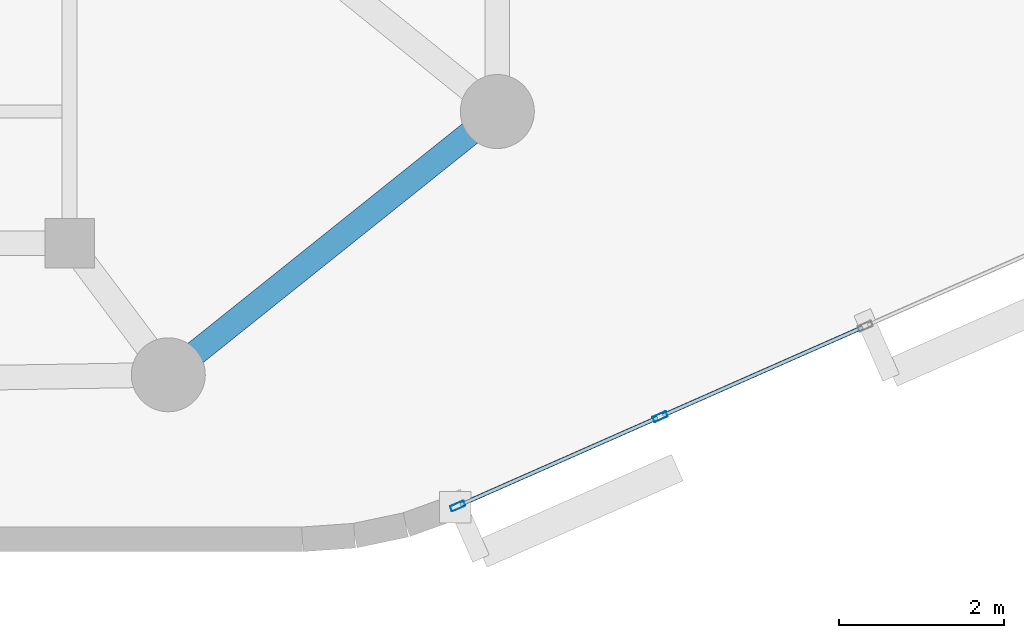
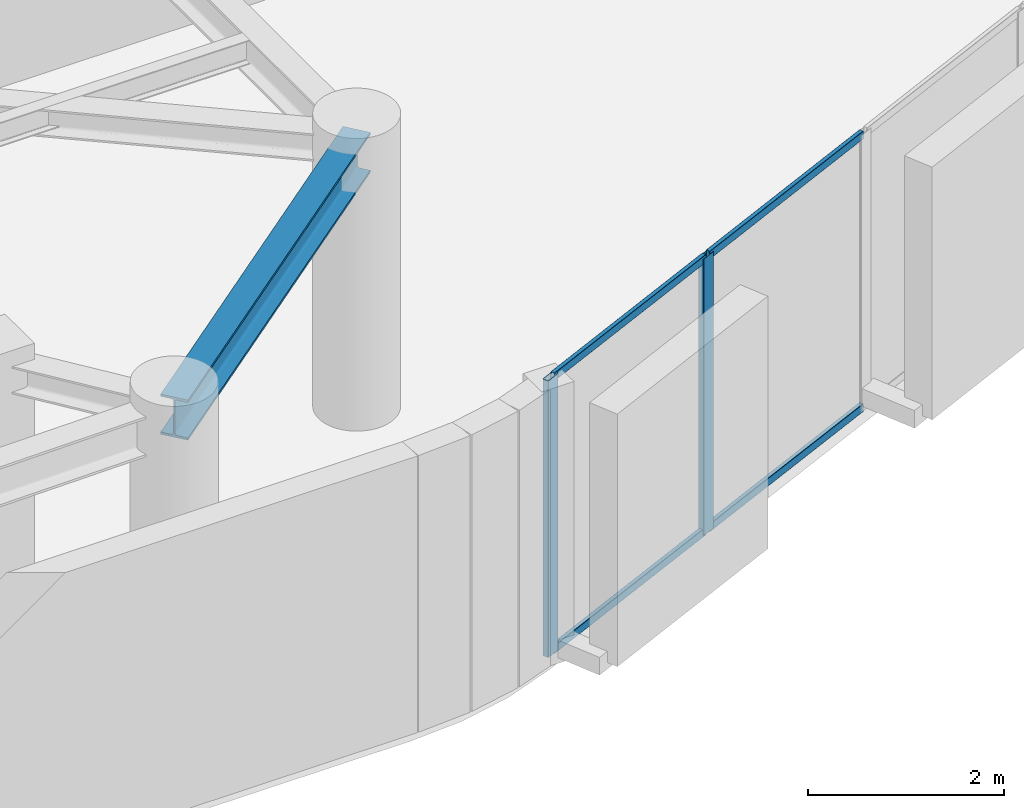
# One storey, part 2 of 12: 6 members, 1 beam, 1 element without a shape of its own.
"""IFC4 building model written with IfcOpenShell, lengths in metres."""

from ifc_helpers import new_model, si_unit, direction, frame, origin, origin_2d, place, context, subcontext, project, spatial, hollow_rectangle, i_section, extrude, material, layer, layer_set, material_profile, profile_set, type_object, element, aggregate, save


model = new_model("IFC4")

# Units and contexts
model_context = context("Model", 3, precision=1e-05, world=origin(), true_north=direction((0.0, 1.0)))
body_context = subcontext(model_context, "Body", "Model", "MODEL_VIEW")
ifc_project = project(units=[si_unit("LENGTHUNIT", "METRE"), si_unit("AREAUNIT", "SQUARE_METRE"), si_unit("VOLUMEUNIT", "CUBIC_METRE"), si_unit("PLANEANGLEUNIT", "RADIAN"), si_unit("MASSUNIT", "GRAM", prefix="KILO")], contexts=[model_context])

# Site, building, storey
site_placement = place(None, origin())
site = spatial("IfcSite", under=ifc_project, at=site_placement, CompositionType="ELEMENT")
building_placement = place(site_placement, origin())
building = spatial("IfcBuilding", under=site, at=building_placement, Name="An Khanh Terracotta Commons", CompositionType="ELEMENT")
storey_placement = place(building_placement, frame((0.0, 0.0, 269.75)))
storey = spatial("IfcBuildingStorey", under=building, at=storey_placement, Name="L70", CompositionType="ELEMENT", Elevation=269.75)

# Beam
ifc_material_1 = material(Name="Steel S355J2", Category="steel")
ifc_material_profile_1 = material_profile(ifc_material_1, i_section(OverallWidth=0.300048828125, OverallDepth=0.5, WebThickness=0.014404296875, FlangeThickness=0.028076171875, FilletRadius=0.027099609375, at=origin_2d()), Name="HEB500")
ifc_profile_set_1 = profile_set([ifc_material_profile_1], Name="Steel S355J2")
beam_type = type_object("IfcBeamType", Name="BM-HEB500", PredefinedType="BEAM", material=ifc_profile_set_1)
beam_placement = place(storey_placement, frame((59.39990234375, 12.800048828125, 3.199951171875), z_axis=(0.780873459249, 0.624689235253, 0.0), x_axis=(-0.624689235253, 0.780873459249, 0.0)))
element("IfcBeam", 1, at=beam_placement, inside=storey, type_object=beam_type, Name="L70 Perimeter Ring Spandrel 2", PredefinedType="BEAM", context=body_context, shape_type="SweptSolid", body=[
    extrude(i_section(OverallWidth=0.300048828125, OverallDepth=0.5, WebThickness=0.014404296875, FlangeThickness=0.028076171875, FilletRadius=0.027099609375, at=origin_2d()), origin(), (0.0, 0.0, 1.0), 5.12255859375),
])

# Curtain wall, members
ifc_material_2 = material(Name="Anodised Aluminium 6063-T6", Category="aluminium")
ifc_layer = layer(ifc_material_2, 0.2099609375, Name="Anodised Aluminium 6063-T6")
ifc_layer_set = layer_set([ifc_layer], Name="Anodised Aluminium 6063-T6")
curtain_wall_type = type_object("IfcCurtainWallType", Name="CW-SYS-03", PredefinedType="USERDEFINED", material=ifc_layer_set)
curtain_wall_placement = place(storey_placement, origin())
curtain_wall = element("IfcCurtainWall", 2, at=curtain_wall_placement, inside=storey, type_object=curtain_wall_type, Name="L70 CW-03 Unitised Curtain Wall CW-L70-08", ObjectType="UNITISED CURTAIN WALL", PredefinedType="USERDEFINED")
ifc_material_profile_2 = material_profile(ifc_material_2, hollow_rectangle(XDim=0.070068359375, YDim=0.179931640625, WallThickness=0.00390625, InnerFilletRadius=0.00390625, OuterFilletRadius=0.008056640625, at=origin_2d()), Name="RHS180x70x4")
ifc_profile_set_2 = profile_set([ifc_material_profile_2], Name="Anodised Aluminium 6063-T6")
member_type_1 = type_object("IfcMemberType", Name="CWM-RHS180x70x4", PredefinedType="MULLION", material=ifc_profile_set_2)
member_1_placement = place(storey_placement, frame((62.9189453125, 11.205078125, 0.0), z_axis=(0.0, 0.0, 1.0), x_axis=(-0.403676354285, 0.914901853201, 0.0)))
member_1 = element("IfcMember", 3, at=member_1_placement, type_object=member_type_1, Name="CW-03 mullion 1", PredefinedType="MULLION", context=body_context, shape_type="SweptSolid", body=[
    extrude(hollow_rectangle(XDim=0.070068359375, YDim=0.179931640625, WallThickness=0.00390625, InnerFilletRadius=0.00390625, OuterFilletRadius=0.008056640625, at=origin_2d()), origin(), (0.0, 0.0, 1.0), 3.449951171875),
])
member_2_placement = place(storey_placement, frame((65.37939453125, 12.290771484375, 0.0), z_axis=(0.0, 0.0, 1.0), x_axis=(-0.403676354285, 0.914901853201, 0.0)))
member_2 = element("IfcMember", 4, at=member_2_placement, type_object=member_type_1, Name="CW-03 mullion 2", PredefinedType="MULLION", context=body_context, shape_type="SweptSolid", body=[
    extrude(hollow_rectangle(XDim=0.070068359375, YDim=0.179931640625, WallThickness=0.00390625, InnerFilletRadius=0.00390625, OuterFilletRadius=0.008056640625, at=origin_2d()), origin(), (0.0, 0.0, 1.0), 3.449951171875),
])
ifc_material_profile_3 = material_profile(ifc_material_2, hollow_rectangle(XDim=0.050048828125, YDim=0.10009765625, WallThickness=0.003173828125, InnerFilletRadius=0.003173828125, OuterFilletRadius=0.00634765625, at=origin_2d()), Name="RHS100x50x3.2")
ifc_profile_set_3 = profile_set([ifc_material_profile_3], Name="Anodised Aluminium 6063-T6")
member_type_2 = type_object("IfcMemberType", Name="CWT-RHS100x50x3.2", PredefinedType="USERDEFINED", material=ifc_profile_set_3)
member_3_placement = place(storey_placement, frame((62.950927734375, 11.21923828125, 0.02490234375), z_axis=(0.914903627858, 0.403672332137, 0.0), x_axis=(-0.403672332137, 0.914903627858, 0.0)))
member_3 = element("IfcMember", 5, at=member_3_placement, type_object=member_type_2, Name="CW-03 transom 1.1", ObjectType="TRANSOM", PredefinedType="USERDEFINED", context=body_context, shape_type="SweptSolid", body=[
    extrude(hollow_rectangle(XDim=0.050048828125, YDim=0.10009765625, WallThickness=0.003173828125, InnerFilletRadius=0.003173828125, OuterFilletRadius=0.00634765625, at=origin_2d()), origin(), (0.0, 0.0, 1.0), 2.619384765625),
])
member_4_placement = place(storey_placement, frame((62.950927734375, 11.21923828125, 3.425048828125), z_axis=(0.914903627858, 0.403672332137, 0.0), x_axis=(-0.403672332137, 0.914903627858, 0.0)))
member_4 = element("IfcMember", 6, at=member_4_placement, type_object=member_type_2, Name="CW-03 transom 1.2", ObjectType="TRANSOM", PredefinedType="USERDEFINED", context=body_context, shape_type="SweptSolid", body=[
    extrude(hollow_rectangle(XDim=0.050048828125, YDim=0.10009765625, WallThickness=0.003173828125, InnerFilletRadius=0.003173828125, OuterFilletRadius=0.00634765625, at=origin_2d()), origin(), (0.0, 0.0, 1.0), 2.619384765625),
])
member_5_placement = place(storey_placement, frame((65.41162109375, 12.304931640625, 0.02490234375), z_axis=(0.914896820753, 0.403687759755, 0.0), x_axis=(-0.403687759755, 0.914896820753, 0.0)))
member_5 = element("IfcMember", 7, at=member_5_placement, type_object=member_type_2, Name="CW-03 transom 2.1", ObjectType="TRANSOM", PredefinedType="USERDEFINED", context=body_context, shape_type="SweptSolid", body=[
    extrude(hollow_rectangle(XDim=0.050048828125, YDim=0.10009765625, WallThickness=0.003173828125, InnerFilletRadius=0.003173828125, OuterFilletRadius=0.00634765625, at=origin_2d()), origin(), (0.0, 0.0, 1.0), 2.654296875),
])
member_6_placement = place(storey_placement, frame((65.41162109375, 12.304931640625, 3.425048828125), z_axis=(0.914896820753, 0.403687759755, 0.0), x_axis=(-0.403687759755, 0.914896820753, 0.0)))
member_6 = element("IfcMember", 8, at=member_6_placement, type_object=member_type_2, Name="CW-03 transom 2.2", ObjectType="TRANSOM", PredefinedType="USERDEFINED", context=body_context, shape_type="SweptSolid", body=[
    extrude(hollow_rectangle(XDim=0.050048828125, YDim=0.10009765625, WallThickness=0.003173828125, InnerFilletRadius=0.003173828125, OuterFilletRadius=0.00634765625, at=origin_2d()), origin(), (0.0, 0.0, 1.0), 2.654296875),
])
aggregate(curtain_wall, [member_1, member_2, member_3, member_4, member_5, member_6])

save(model, "model.ifc")
